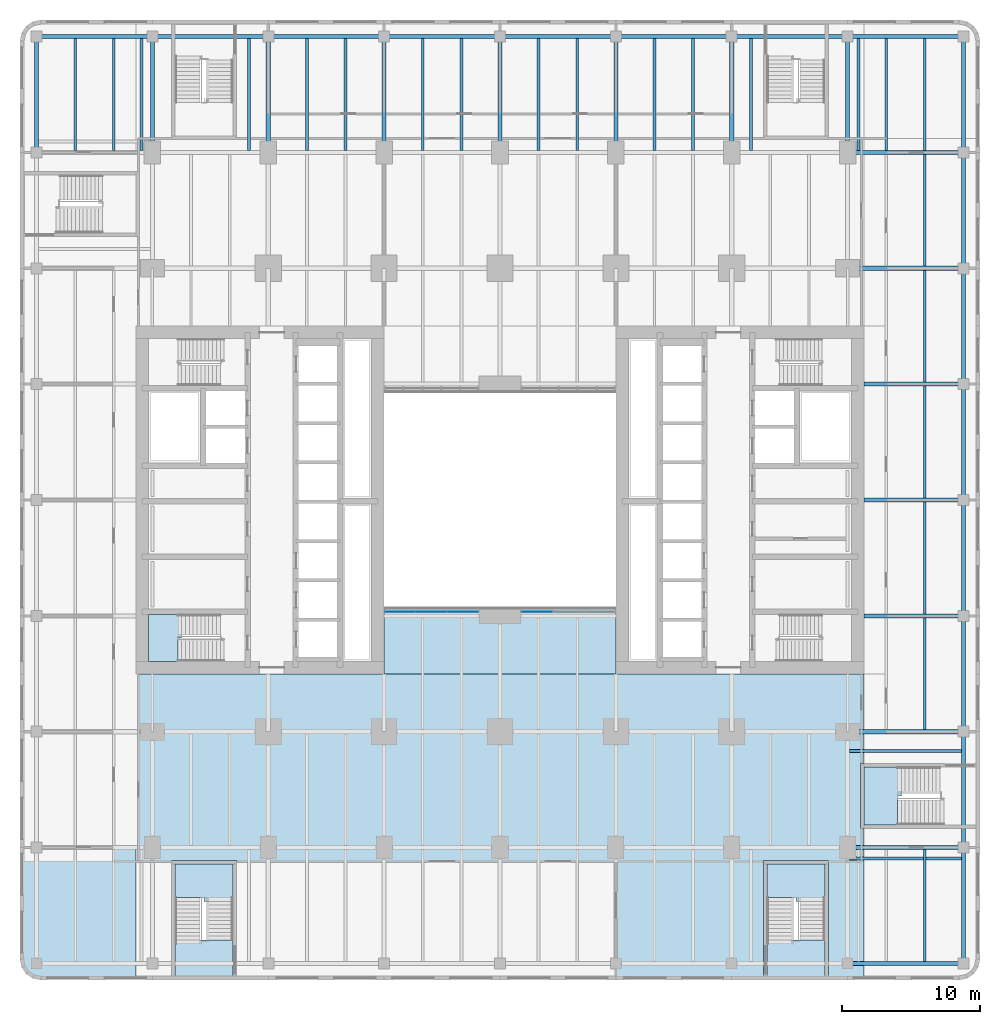
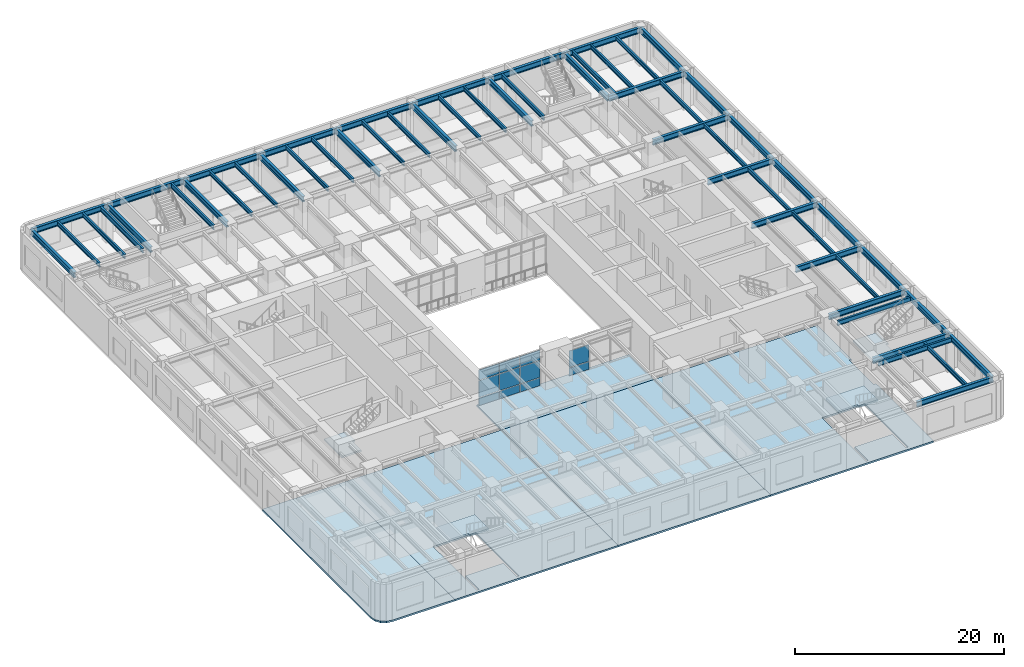
# One storey, part 7 of 26: 56 beams, 11 plates, 9 slabs, 6 elements without a shape of their own.
"""IFC4 building model written with IfcOpenShell, lengths in metres."""

from ifc_helpers import new_model, si_unit, direction, frame, origin, origin_2d, place, context, subcontext, project, spatial, polyline, rectangle, i_section, outline, extrude, material, layer, layer_set, material_profile, profile_set, type_object, element, aggregate, save


model = new_model("IFC4")

# Units and contexts
model_context = context("Model", 3, precision=1e-05, world=origin(), true_north=direction((0.0, 1.0)))
body_context = subcontext(model_context, "Body", "Model", "MODEL_VIEW")
ifc_project = project(units=[si_unit("LENGTHUNIT", "METRE"), si_unit("AREAUNIT", "SQUARE_METRE"), si_unit("VOLUMEUNIT", "CUBIC_METRE"), si_unit("PLANEANGLEUNIT", "RADIAN"), si_unit("MASSUNIT", "GRAM", prefix="KILO")], contexts=[model_context])

# Site, building, storey
site_placement = place(None, origin())
site = spatial("IfcSite", under=ifc_project, at=site_placement, CompositionType="ELEMENT")
building_placement = place(site_placement, origin())
building = spatial("IfcBuilding", under=site, at=building_placement, Name="Claustro Exchange Tower", CompositionType="ELEMENT")
storey_placement = place(building_placement, frame((0.0, 0.0, 9.89990234375)))
storey = spatial("IfcBuildingStorey", under=building, at=storey_placement, Name="L02", CompositionType="ELEMENT", Elevation=9.89990234375)

# Beams
ifc_material_1 = material(Name="Steel S355", Category="steel")
ifc_material_profile_1 = material_profile(ifc_material_1, i_section(OverallWidth=0.300048828125, OverallDepth=0.64990234375, WebThickness=0.01611328125, FlangeThickness=0.031005859375, FilletRadius=0.027099609375, at=origin_2d()), Name="HE 650 B")
ifc_profile_set_1 = profile_set([ifc_material_profile_1], Name="Steel S355")
beam_type_1 = type_object("IfcBeamType", Name="B1A HE 650 B floor girder", PredefinedType="BEAM", material=ifc_profile_set_1)
for number, where, z_axis, x_axis, name in (
    (1, (-8.39990234375, 50.39990234375, 3.97509765625), (0.0, 1.0, 0.0), (-1.0, 0.0, 0.0), "Beam B1A L03"),
    (2, (0.0, 50.39990234375, 3.97509765625), (0.0, 1.0, 0.0), (-1.0, 0.0, 0.0), "Beam B1A L03"),
    (3, (8.39990234375, 50.39990234375, 3.97509765625), (0.0, 1.0, 0.0), (-1.0, 0.0, 0.0), "Beam B1A L03"),
    (4, (16.800048828125, 50.39990234375, 3.97509765625), (0.0, 1.0, 0.0), (-1.0, 0.0, 0.0), "Beam B1A L03"),
    (5, (25.199951171875, 50.39990234375, 3.97509765625), (0.0, 1.0, 0.0), (-1.0, 0.0, 0.0), "Beam B1A L03"),
    (6, (33.60009765625, 50.39990234375, 3.97509765625), (0.0, 1.0, 0.0), (-1.0, 0.0, 0.0), "Beam B1A L03"),
    (7, (42.0, 50.39990234375, 3.97509765625), (0.0, 1.0, 0.0), (-1.0, 0.0, 0.0), "Beam B1A L03"),
    (8, (50.39990234375, 50.39990234375, 3.97509765625), (0.0, 1.0, 0.0), (-1.0, 0.0, 0.0), "Beam B1A L03"),
):
    element("IfcBeam", number, at=place(storey_placement, frame(where, z_axis=z_axis, x_axis=x_axis)), inside=storey, type_object=beam_type_1, Name=name, PredefinedType="BEAM", context=body_context, shape_type="SweptSolid", body=[
        extrude(i_section(OverallWidth=0.300048828125, OverallDepth=0.64990234375, WebThickness=0.01611328125, FlangeThickness=0.031005859375, FilletRadius=0.027099609375, at=origin_2d()), origin(), (0.0, 0.0, 1.0), 8.400146484375),
    ])
for number, where, z_axis, x_axis, name in (
    (9, (58.800048828125, -8.39990234375, 3.97509765625), (0.0, 1.0, 0.0), (-1.0, 0.0, 0.0), "Beam B1A L03"),
    (10, (58.800048828125, 0.0, 3.97509765625), (0.0, 1.0, 0.0), (-1.0, 0.0, 0.0), "Beam B1A L03"),
):
    element("IfcBeam", number, at=place(storey_placement, frame(where, z_axis=z_axis, x_axis=x_axis)), inside=storey, type_object=beam_type_1, Name=name, PredefinedType="BEAM", context=body_context, shape_type="SweptSolid", body=[
        extrude(i_section(OverallWidth=0.300048828125, OverallDepth=0.64990234375, WebThickness=0.01611328125, FlangeThickness=0.031005859375, FilletRadius=0.027099609375, at=origin_2d()), origin(), (0.0, 0.0, 1.0), 8.39990234375),
    ])
beam_1_placement = place(storey_placement, frame((58.800048828125, 8.39990234375, 3.97509765625), z_axis=(0.0, 1.0, 0.0), x_axis=(-1.0, 0.0, 0.0)))
element("IfcBeam", 11, at=beam_1_placement, inside=storey, type_object=beam_type_1, Name="Beam B1A L03", PredefinedType="BEAM", context=body_context, shape_type="SweptSolid", body=[
    extrude(i_section(OverallWidth=0.300048828125, OverallDepth=0.64990234375, WebThickness=0.01611328125, FlangeThickness=0.031005859375, FilletRadius=0.027099609375, at=origin_2d()), origin(), (0.0, 0.0, 1.0), 8.400146484375),
])
beam_2_placement = place(storey_placement, frame((58.800048828125, 16.800048828125, 3.97509765625), z_axis=(0.0, 1.0, 0.0), x_axis=(-1.0, 0.0, 0.0)))
element("IfcBeam", 12, at=beam_2_placement, inside=storey, type_object=beam_type_1, Name="Beam B1A L03", PredefinedType="BEAM", context=body_context, shape_type="SweptSolid", body=[
    extrude(i_section(OverallWidth=0.300048828125, OverallDepth=0.64990234375, WebThickness=0.01611328125, FlangeThickness=0.031005859375, FilletRadius=0.027099609375, at=origin_2d()), origin(), (0.0, 0.0, 1.0), 8.39990234375),
])
beam_3_placement = place(storey_placement, frame((58.800048828125, 25.199951171875, 3.97509765625), z_axis=(0.0, 1.0, 0.0), x_axis=(-1.0, 0.0, 0.0)))
element("IfcBeam", 13, at=beam_3_placement, inside=storey, type_object=beam_type_1, Name="Beam B1A L03", PredefinedType="BEAM", context=body_context, shape_type="SweptSolid", body=[
    extrude(i_section(OverallWidth=0.300048828125, OverallDepth=0.64990234375, WebThickness=0.01611328125, FlangeThickness=0.031005859375, FilletRadius=0.027099609375, at=origin_2d()), origin(), (0.0, 0.0, 1.0), 8.400146484375),
])
for number, where, z_axis, x_axis, name in (
    (14, (58.800048828125, 33.60009765625, 3.97509765625), (0.0, 1.0, 0.0), (-1.0, 0.0, 0.0), "Beam B1A L03"),
    (15, (58.800048828125, 42.0, 3.97509765625), (0.0, 1.0, 0.0), (-1.0, 0.0, 0.0), "Beam B1A L03"),
):
    element("IfcBeam", number, at=place(storey_placement, frame(where, z_axis=z_axis, x_axis=x_axis)), inside=storey, type_object=beam_type_1, Name=name, PredefinedType="BEAM", context=body_context, shape_type="SweptSolid", body=[
        extrude(i_section(OverallWidth=0.300048828125, OverallDepth=0.64990234375, WebThickness=0.01611328125, FlangeThickness=0.031005859375, FilletRadius=0.027099609375, at=origin_2d()), origin(), (0.0, 0.0, 1.0), 8.39990234375),
    ])
for number, where, z_axis, x_axis, name in (
    (16, (58.800048828125, 50.39990234375, 3.97509765625), (0.0, 1.0, 0.0), (-1.0, 0.0, 0.0), "Beam B1A L03"),
    (17, (50.39990234375, -8.39990234375, 3.97509765625), (1.0, 0.0, 0.0), (0.0, 1.0, 0.0), "Beam B1A L03"),
    (18, (50.39990234375, 0.0, 3.97509765625), (1.0, 0.0, 0.0), (0.0, 1.0, 0.0), "Beam B1A L03"),
    (19, (50.39990234375, 8.39990234375, 3.97509765625), (1.0, 0.0, 0.0), (0.0, 1.0, 0.0), "Beam B1A L03"),
):
    element("IfcBeam", number, at=place(storey_placement, frame(where, z_axis=z_axis, x_axis=x_axis)), inside=storey, type_object=beam_type_1, Name=name, PredefinedType="BEAM", context=body_context, shape_type="SweptSolid", body=[
        extrude(i_section(OverallWidth=0.300048828125, OverallDepth=0.64990234375, WebThickness=0.01611328125, FlangeThickness=0.031005859375, FilletRadius=0.027099609375, at=origin_2d()), origin(), (0.0, 0.0, 1.0), 8.400146484375),
    ])
for number, where, z_axis, x_axis, name in (
    (20, (51.60009765625, 16.800048828125, 3.97509765625), (1.0, 0.0, 0.0), (0.0, 1.0, 0.0), "Beam B1A L03"),
    (21, (51.60009765625, 25.199951171875, 3.97509765625), (1.0, 0.0, 0.0), (0.0, 1.0, 0.0), "Beam B1A L03"),
    (22, (51.60009765625, 33.60009765625, 3.97509765625), (1.0, 0.0, 0.0), (0.0, 1.0, 0.0), "Beam B1A L03"),
):
    element("IfcBeam", number, at=place(storey_placement, frame(where, z_axis=z_axis, x_axis=x_axis)), inside=storey, type_object=beam_type_1, Name=name, PredefinedType="BEAM", context=body_context, shape_type="SweptSolid", body=[
        extrude(i_section(OverallWidth=0.300048828125, OverallDepth=0.64990234375, WebThickness=0.01611328125, FlangeThickness=0.031005859375, FilletRadius=0.027099609375, at=origin_2d()), origin(), (0.0, 0.0, 1.0), 7.199951171875),
    ])
for number, where, z_axis, x_axis, name in (
    (23, (50.39990234375, 42.0, 3.97509765625), (1.0, 0.0, 0.0), (0.0, 1.0, 0.0), "Beam B1A L03"),
    (24, (50.39990234375, 50.39990234375, 3.97509765625), (1.0, 0.0, 0.0), (0.0, 1.0, 0.0), "Beam B1A L03"),
):
    element("IfcBeam", number, at=place(storey_placement, frame(where, z_axis=z_axis, x_axis=x_axis)), inside=storey, type_object=beam_type_1, Name=name, PredefinedType="BEAM", context=body_context, shape_type="SweptSolid", body=[
        extrude(i_section(OverallWidth=0.300048828125, OverallDepth=0.64990234375, WebThickness=0.01611328125, FlangeThickness=0.031005859375, FilletRadius=0.027099609375, at=origin_2d()), origin(), (0.0, 0.0, 1.0), 8.400146484375),
    ])
for number, where, z_axis, x_axis, name in (
    (25, (-8.39990234375, 58.800048828125, 3.97509765625), (1.0, 0.0, 0.0), (0.0, 1.0, 0.0), "Beam B1A L03"),
    (26, (0.0, 58.800048828125, 3.97509765625), (1.0, 0.0, 0.0), (0.0, 1.0, 0.0), "Beam B1A L03"),
):
    element("IfcBeam", number, at=place(storey_placement, frame(where, z_axis=z_axis, x_axis=x_axis)), inside=storey, type_object=beam_type_1, Name=name, PredefinedType="BEAM", context=body_context, shape_type="SweptSolid", body=[
        extrude(i_section(OverallWidth=0.300048828125, OverallDepth=0.64990234375, WebThickness=0.01611328125, FlangeThickness=0.031005859375, FilletRadius=0.027099609375, at=origin_2d()), origin(), (0.0, 0.0, 1.0), 8.39990234375),
    ])
beam_4_placement = place(storey_placement, frame((8.39990234375, 58.800048828125, 3.97509765625), z_axis=(1.0, 0.0, 0.0), x_axis=(0.0, 1.0, 0.0)))
element("IfcBeam", 27, at=beam_4_placement, inside=storey, type_object=beam_type_1, Name="Beam B1A L03", PredefinedType="BEAM", context=body_context, shape_type="SweptSolid", body=[
    extrude(i_section(OverallWidth=0.300048828125, OverallDepth=0.64990234375, WebThickness=0.01611328125, FlangeThickness=0.031005859375, FilletRadius=0.027099609375, at=origin_2d()), origin(), (0.0, 0.0, 1.0), 8.400146484375),
])
beam_5_placement = place(storey_placement, frame((16.800048828125, 58.800048828125, 3.97509765625), z_axis=(1.0, 0.0, 0.0), x_axis=(0.0, 1.0, 0.0)))
element("IfcBeam", 28, at=beam_5_placement, inside=storey, type_object=beam_type_1, Name="Beam B1A L03", PredefinedType="BEAM", context=body_context, shape_type="SweptSolid", body=[
    extrude(i_section(OverallWidth=0.300048828125, OverallDepth=0.64990234375, WebThickness=0.01611328125, FlangeThickness=0.031005859375, FilletRadius=0.027099609375, at=origin_2d()), origin(), (0.0, 0.0, 1.0), 8.39990234375),
])
beam_6_placement = place(storey_placement, frame((25.199951171875, 58.800048828125, 3.97509765625), z_axis=(1.0, 0.0, 0.0), x_axis=(0.0, 1.0, 0.0)))
element("IfcBeam", 29, at=beam_6_placement, inside=storey, type_object=beam_type_1, Name="Beam B1A L03", PredefinedType="BEAM", context=body_context, shape_type="SweptSolid", body=[
    extrude(i_section(OverallWidth=0.300048828125, OverallDepth=0.64990234375, WebThickness=0.01611328125, FlangeThickness=0.031005859375, FilletRadius=0.027099609375, at=origin_2d()), origin(), (0.0, 0.0, 1.0), 8.400146484375),
])
for number, where, z_axis, x_axis, name in (
    (30, (33.60009765625, 58.800048828125, 3.97509765625), (1.0, 0.0, 0.0), (0.0, 1.0, 0.0), "Beam B1A L03"),
    (31, (42.0, 58.800048828125, 3.97509765625), (1.0, 0.0, 0.0), (0.0, 1.0, 0.0), "Beam B1A L03"),
):
    element("IfcBeam", number, at=place(storey_placement, frame(where, z_axis=z_axis, x_axis=x_axis)), inside=storey, type_object=beam_type_1, Name=name, PredefinedType="BEAM", context=body_context, shape_type="SweptSolid", body=[
        extrude(i_section(OverallWidth=0.300048828125, OverallDepth=0.64990234375, WebThickness=0.01611328125, FlangeThickness=0.031005859375, FilletRadius=0.027099609375, at=origin_2d()), origin(), (0.0, 0.0, 1.0), 8.39990234375),
    ])
beam_7_placement = place(storey_placement, frame((50.39990234375, 58.800048828125, 3.97509765625), z_axis=(1.0, 0.0, 0.0), x_axis=(0.0, 1.0, 0.0)))
element("IfcBeam", 32, at=beam_7_placement, inside=storey, type_object=beam_type_1, Name="Beam B1A L03", PredefinedType="BEAM", context=body_context, shape_type="SweptSolid", body=[
    extrude(i_section(OverallWidth=0.300048828125, OverallDepth=0.64990234375, WebThickness=0.01611328125, FlangeThickness=0.031005859375, FilletRadius=0.027099609375, at=origin_2d()), origin(), (0.0, 0.0, 1.0), 8.400146484375),
])
ifc_material_2 = material(Name="Steel S355", Category="steel")
ifc_material_profile_2 = material_profile(ifc_material_2, i_section(OverallWidth=0.199951171875, OverallDepth=0.5, WebThickness=0.01025390625, FlangeThickness=0.01611328125, FilletRadius=0.02099609375, at=origin_2d()), Name="IPE 500")
ifc_profile_set_2 = profile_set([ifc_material_profile_2], Name="Steel S355")
beam_type_2 = type_object("IfcBeamType", Name="B2 IPE 500 secondary beam", PredefinedType="BEAM", material=ifc_profile_set_2)
for number, where, z_axis, x_axis, name in (
    (33, (-5.60009765625, 50.550048828125, 4.050048828125), (0.0, 1.0, 0.0), (-1.0, 0.0, 0.0), "Beam B2 L03"),
    (34, (-2.800048828125, 50.550048828125, 4.050048828125), (0.0, 1.0, 0.0), (-1.0, 0.0, 0.0), "Beam B2 L03"),
    (35, (11.199951171875, 50.550048828125, 4.050048828125), (0.0, 1.0, 0.0), (-1.0, 0.0, 0.0), "Beam B2 L03"),
    (36, (14.0, 50.550048828125, 4.050048828125), (0.0, 1.0, 0.0), (-1.0, 0.0, 0.0), "Beam B2 L03"),
    (37, (19.60009765625, 50.550048828125, 4.050048828125), (0.0, 1.0, 0.0), (-1.0, 0.0, 0.0), "Beam B2 L03"),
    (38, (22.39990234375, 50.550048828125, 4.050048828125), (0.0, 1.0, 0.0), (-1.0, 0.0, 0.0), "Beam B2 L03"),
    (39, (28.0, 50.550048828125, 4.050048828125), (0.0, 1.0, 0.0), (-1.0, 0.0, 0.0), "Beam B2 L03"),
    (40, (30.800048828125, 50.550048828125, 4.050048828125), (0.0, 1.0, 0.0), (-1.0, 0.0, 0.0), "Beam B2 L03"),
    (41, (36.39990234375, 50.550048828125, 4.050048828125), (0.0, 1.0, 0.0), (-1.0, 0.0, 0.0), "Beam B2 L03"),
    (42, (39.199951171875, 50.550048828125, 4.050048828125), (0.0, 1.0, 0.0), (-1.0, 0.0, 0.0), "Beam B2 L03"),
):
    element("IfcBeam", number, at=place(storey_placement, frame(where, z_axis=z_axis, x_axis=x_axis)), inside=storey, type_object=beam_type_2, Name=name, PredefinedType="BEAM", context=body_context, shape_type="SweptSolid", body=[
        extrude(i_section(OverallWidth=0.199951171875, OverallDepth=0.5, WebThickness=0.01025390625, FlangeThickness=0.01611328125, FilletRadius=0.02099609375, at=origin_2d()), origin(), (0.0, 0.0, 1.0), 8.099853515625),
    ])
beam_8_placement = place(storey_placement, frame((56.0, -8.25, 4.050048828125), z_axis=(0.0, 1.0, 0.0), x_axis=(-1.0, 0.0, 0.0)))
element("IfcBeam", 43, at=beam_8_placement, inside=storey, type_object=beam_type_2, Name="Beam B2 L03", PredefinedType="BEAM", context=body_context, shape_type="SweptSolid", body=[
    extrude(i_section(OverallWidth=0.199951171875, OverallDepth=0.5, WebThickness=0.01025390625, FlangeThickness=0.01611328125, FilletRadius=0.02099609375, at=origin_2d()), origin(), (0.0, 0.0, 1.0), 8.10009765625),
])
beam_9_placement = place(storey_placement, frame((56.0, 8.550048828125, 4.050048828125), z_axis=(0.0, 1.0, 0.0), x_axis=(-1.0, 0.0, 0.0)))
element("IfcBeam", 44, at=beam_9_placement, inside=storey, type_object=beam_type_2, Name="Beam B2 L03", PredefinedType="BEAM", context=body_context, shape_type="SweptSolid", body=[
    extrude(i_section(OverallWidth=0.199951171875, OverallDepth=0.5, WebThickness=0.01025390625, FlangeThickness=0.01611328125, FilletRadius=0.02099609375, at=origin_2d()), origin(), (0.0, 0.0, 1.0), 8.099853515625),
])
beam_10_placement = place(storey_placement, frame((56.0, 16.949951171875, 4.050048828125), z_axis=(0.0, 1.0, 0.0), x_axis=(-1.0, 0.0, 0.0)))
element("IfcBeam", 45, at=beam_10_placement, inside=storey, type_object=beam_type_2, Name="Beam B2 L03", PredefinedType="BEAM", context=body_context, shape_type="SweptSolid", body=[
    extrude(i_section(OverallWidth=0.199951171875, OverallDepth=0.5, WebThickness=0.01025390625, FlangeThickness=0.01611328125, FilletRadius=0.02099609375, at=origin_2d()), origin(), (0.0, 0.0, 1.0), 8.10009765625),
])
beam_11_placement = place(storey_placement, frame((56.0, 25.35009765625, 4.050048828125), z_axis=(0.0, 1.0, 0.0), x_axis=(-1.0, 0.0, 0.0)))
element("IfcBeam", 46, at=beam_11_placement, inside=storey, type_object=beam_type_2, Name="Beam B2 L03", PredefinedType="BEAM", context=body_context, shape_type="SweptSolid", body=[
    extrude(i_section(OverallWidth=0.199951171875, OverallDepth=0.5, WebThickness=0.01025390625, FlangeThickness=0.01611328125, FilletRadius=0.02099609375, at=origin_2d()), origin(), (0.0, 0.0, 1.0), 8.099853515625),
])
for number, where, z_axis, x_axis, name in (
    (47, (56.0, 33.75, 4.050048828125), (0.0, 1.0, 0.0), (-1.0, 0.0, 0.0), "Beam B2 L03"),
    (48, (56.0, 42.14990234375, 4.050048828125), (0.0, 1.0, 0.0), (-1.0, 0.0, 0.0), "Beam B2 L03"),
):
    element("IfcBeam", number, at=place(storey_placement, frame(where, z_axis=z_axis, x_axis=x_axis)), inside=storey, type_object=beam_type_2, Name=name, PredefinedType="BEAM", context=body_context, shape_type="SweptSolid", body=[
        extrude(i_section(OverallWidth=0.199951171875, OverallDepth=0.5, WebThickness=0.01025390625, FlangeThickness=0.01611328125, FilletRadius=0.02099609375, at=origin_2d()), origin(), (0.0, 0.0, 1.0), 8.10009765625),
    ])
for number, where, z_axis, x_axis, name in (
    (49, (53.199951171875, 50.550048828125, 4.050048828125), (0.0, 1.0, 0.0), (-1.0, 0.0, 0.0), "Beam B2 L03"),
    (50, (56.0, 50.550048828125, 4.050048828125), (0.0, 1.0, 0.0), (-1.0, 0.0, 0.0), "Beam B2 L03"),
):
    element("IfcBeam", number, at=place(storey_placement, frame(where, z_axis=z_axis, x_axis=x_axis)), inside=storey, type_object=beam_type_2, Name=name, PredefinedType="BEAM", context=body_context, shape_type="SweptSolid", body=[
        extrude(i_section(OverallWidth=0.199951171875, OverallDepth=0.5, WebThickness=0.01025390625, FlangeThickness=0.01611328125, FilletRadius=0.02099609375, at=origin_2d()), origin(), (0.0, 0.0, 1.0), 8.099853515625),
    ])
ifc_material_3 = material(Name="Steel S355", Category="steel")
ifc_material_profile_3 = material_profile(ifc_material_3, i_section(OverallWidth=0.2099609375, OverallDepth=0.550048828125, WebThickness=0.010986328125, FlangeThickness=0.01708984375, FilletRadius=0.02392578125, at=origin_2d()), Name="IPE 550")
ifc_profile_set_3 = profile_set([ifc_material_profile_3], Name="Steel S355")
beam_type_3 = type_object("IfcBeamType", Name="B28 IPE 550 podium stair trimmer", PredefinedType="BEAM", material=ifc_profile_set_3)
for number, where, z_axis, x_axis, name in (
    (51, (7.0, 50.550048828125, 4.025146484375), (0.0, 1.0, 0.0), (-1.0, 0.0, 0.0), "Beam B28 trimmer STP3 L03"),
    (52, (-0.800048828125, 50.550048828125, 4.025146484375), (0.0, 1.0, 0.0), (-1.0, 0.0, 0.0), "Beam B28 trimmer STP3 L03"),
    (53, (43.39990234375, 50.550048828125, 4.025146484375), (0.0, 1.0, 0.0), (-1.0, 0.0, 0.0), "Beam B28 trimmer STP4 L03"),
    (54, (51.199951171875, 50.550048828125, 4.025146484375), (0.0, 1.0, 0.0), (-1.0, 0.0, 0.0), "Beam B28 trimmer STP4 L03"),
    (55, (50.550048828125, 7.0, 4.025146484375), (1.0, 0.0, 0.0), (0.0, 1.0, 0.0), "Beam B28 trimmer STP6 L03"),
    (56, (50.550048828125, -0.800048828125, 4.025146484375), (1.0, 0.0, 0.0), (0.0, 1.0, 0.0), "Beam B28 trimmer STP6 L03"),
):
    element("IfcBeam", number, at=place(storey_placement, frame(where, z_axis=z_axis, x_axis=x_axis)), inside=storey, type_object=beam_type_3, Name=name, PredefinedType="BEAM", context=body_context, shape_type="SweptSolid", body=[
        extrude(i_section(OverallWidth=0.2099609375, OverallDepth=0.550048828125, WebThickness=0.010986328125, FlangeThickness=0.01708984375, FilletRadius=0.02392578125, at=origin_2d()), origin(), (0.0, 0.0, 1.0), 8.099853515625),
    ])

# Curtain wall, plates
ifc_material_4 = material(Name="Aluminium frame, clear double glazing", Category="aluminium")
curtain_wall_type = type_object("IfcCurtainWallType", Name="CW3 light well curtain wall", PredefinedType="USERDEFINED", material=ifc_material_4)
curtain_wall_1_placement = place(storey_placement, origin())
curtain_wall_1 = element("IfcCurtainWall", 57, at=curtain_wall_1_placement, inside=storey, type_object=curtain_wall_type, Name="Curtain wall CW3 L02", ObjectType="STICK CURTAIN WALL", PredefinedType="USERDEFINED")
ifc_material_5 = material(Name="Clear double glazing", Category="glass")
ifc_layer_1 = layer(ifc_material_5, 0.030029296875)
ifc_layer_set_1 = layer_set([ifc_layer_1], Name="Clear double glazing")
plate_type = type_object("IfcPlateType", Name="CW3-P 30 glazed panel", PredefinedType="CURTAIN_PANEL", material=ifc_layer_set_1)
plate_1_placement = place(storey_placement, frame((17.962158203125, 17.10009765625, 0.06494140625), z_axis=(0.0, 0.0, 1.0), x_axis=(1.0, 0.0, 0.0)))
plate_1 = element("IfcPlate", 58, at=plate_1_placement, type_object=plate_type, Name="CW3 panel 1.1", PredefinedType="CURTAIN_PANEL", context=body_context, shape_type="SweptSolid", body=[
    extrude(rectangle(XDim=2.194091796875, YDim=0.030029296875, at=origin_2d()), origin(), (0.0, 0.0, 1.0), 0.902587890625),
])
plate_2_placement = place(storey_placement, frame((17.962158203125, 17.10009765625, 1.032470703125), z_axis=(0.0, 0.0, 1.0), x_axis=(1.0, 0.0, 0.0)))
plate_2 = element("IfcPlate", 59, at=plate_2_placement, type_object=plate_type, Name="CW3 panel 1.2", PredefinedType="CURTAIN_PANEL", context=body_context, shape_type="SweptSolid", body=[
    extrude(rectangle(XDim=2.194091796875, YDim=0.030029296875, at=origin_2d()), origin(), (0.0, 0.0, 1.0), 1.93505859375),
])
plate_3_placement = place(storey_placement, frame((17.962158203125, 17.10009765625, 3.03271484375), z_axis=(0.0, 0.0, 1.0), x_axis=(1.0, 0.0, 0.0)))
plate_3 = element("IfcPlate", 60, at=plate_3_placement, type_object=plate_type, Name="CW3 panel 1.3", PredefinedType="CURTAIN_PANEL", context=body_context, shape_type="SweptSolid", body=[
    extrude(rectangle(XDim=2.194091796875, YDim=0.030029296875, at=origin_2d()), origin(), (0.0, 0.0, 1.0), 1.202392578125),
])
plate_4_placement = place(storey_placement, frame((20.237548828125, 17.10009765625, 0.06494140625), z_axis=(0.0, 0.0, 1.0), x_axis=(1.0, 0.0, 0.0)))
plate_4 = element("IfcPlate", 61, at=plate_4_placement, type_object=plate_type, Name="CW3 panel 2.1", PredefinedType="CURTAIN_PANEL", context=body_context, shape_type="SweptSolid", body=[
    extrude(rectangle(XDim=2.2265625, YDim=0.030029296875, at=origin_2d()), origin(), (0.0, 0.0, 1.0), 0.902587890625),
])
plate_5_placement = place(storey_placement, frame((20.237548828125, 17.10009765625, 1.032470703125), z_axis=(0.0, 0.0, 1.0), x_axis=(1.0, 0.0, 0.0)))
plate_5 = element("IfcPlate", 62, at=plate_5_placement, type_object=plate_type, Name="CW3 panel 2.2", PredefinedType="CURTAIN_PANEL", context=body_context, shape_type="SweptSolid", body=[
    extrude(rectangle(XDim=2.2265625, YDim=0.030029296875, at=origin_2d()), origin(), (0.0, 0.0, 1.0), 1.93505859375),
])
plate_6_placement = place(storey_placement, frame((20.237548828125, 17.10009765625, 3.03271484375), z_axis=(0.0, 0.0, 1.0), x_axis=(1.0, 0.0, 0.0)))
plate_6 = element("IfcPlate", 63, at=plate_6_placement, type_object=plate_type, Name="CW3 panel 2.3", PredefinedType="CURTAIN_PANEL", context=body_context, shape_type="SweptSolid", body=[
    extrude(rectangle(XDim=2.2265625, YDim=0.030029296875, at=origin_2d()), origin(), (0.0, 0.0, 1.0), 1.202392578125),
])
plate_7_placement = place(storey_placement, frame((22.512939453125, 17.10009765625, 0.06494140625), z_axis=(0.0, 0.0, 1.0), x_axis=(1.0, 0.0, 0.0)))
plate_7 = element("IfcPlate", 64, at=plate_7_placement, type_object=plate_type, Name="CW3 panel 3.1", PredefinedType="CURTAIN_PANEL", context=body_context, shape_type="SweptSolid", body=[
    extrude(rectangle(XDim=2.194091796875, YDim=0.030029296875, at=origin_2d()), origin(), (0.0, 0.0, 1.0), 0.902587890625),
])
plate_8_placement = place(storey_placement, frame((22.512939453125, 17.10009765625, 1.032470703125), z_axis=(0.0, 0.0, 1.0), x_axis=(1.0, 0.0, 0.0)))
plate_8 = element("IfcPlate", 65, at=plate_8_placement, type_object=plate_type, Name="CW3 panel 3.2", PredefinedType="CURTAIN_PANEL", context=body_context, shape_type="SweptSolid", body=[
    extrude(rectangle(XDim=2.194091796875, YDim=0.030029296875, at=origin_2d()), origin(), (0.0, 0.0, 1.0), 1.93505859375),
])
plate_9_placement = place(storey_placement, frame((22.512939453125, 17.10009765625, 3.03271484375), z_axis=(0.0, 0.0, 1.0), x_axis=(1.0, 0.0, 0.0)))
plate_9 = element("IfcPlate", 66, at=plate_9_placement, type_object=plate_type, Name="CW3 panel 3.3", PredefinedType="CURTAIN_PANEL", context=body_context, shape_type="SweptSolid", body=[
    extrude(rectangle(XDim=2.194091796875, YDim=0.030029296875, at=origin_2d()), origin(), (0.0, 0.0, 1.0), 1.202392578125),
])
aggregate(curtain_wall_1, [plate_1, plate_2, plate_3, plate_4, plate_5, plate_6, plate_7, plate_8, plate_9])

curtain_wall_2_placement = place(storey_placement, origin())
curtain_wall_2 = element("IfcCurtainWall", 67, at=curtain_wall_2_placement, inside=storey, type_object=curtain_wall_type, Name="Curtain wall CW3 L02", ObjectType="STICK CURTAIN WALL", PredefinedType="USERDEFINED")
plate_10_placement = place(storey_placement, frame((27.886962890625, 17.10009765625, 0.06494140625), z_axis=(0.0, 0.0, 1.0), x_axis=(1.0, 0.0, 0.0)))
plate_10 = element("IfcPlate", 68, at=plate_10_placement, type_object=plate_type, Name="CW3 panel 1.1", PredefinedType="CURTAIN_PANEL", context=body_context, shape_type="SweptSolid", body=[
    extrude(rectangle(XDim=2.194091796875, YDim=0.030029296875, at=origin_2d()), origin(), (0.0, 0.0, 1.0), 0.902587890625),
])
plate_11_placement = place(storey_placement, frame((27.886962890625, 17.10009765625, 1.032470703125), z_axis=(0.0, 0.0, 1.0), x_axis=(1.0, 0.0, 0.0)))
plate_11 = element("IfcPlate", 69, at=plate_11_placement, type_object=plate_type, Name="CW3 panel 1.2", PredefinedType="CURTAIN_PANEL", context=body_context, shape_type="SweptSolid", body=[
    extrude(rectangle(XDim=2.194091796875, YDim=0.030029296875, at=origin_2d()), origin(), (0.0, 0.0, 1.0), 1.93505859375),
])
aggregate(curtain_wall_2, [plate_10, plate_11])

# Slabs
ifc_material_6 = material(Name="Concrete HA-50 (C50/60)", Category="concrete")
ifc_layer_2 = layer(ifc_material_6, 0.199951171875)
ifc_layer_set_2 = layer_set([ifc_layer_2], Name="Concrete HA-50 (C50/60)")
slab_type_1 = type_object("IfcSlabType", Name="S3 200 plant floor slab", PredefinedType="FLOOR", material=ifc_layer_set_2)
slab_1_placement = place(storey_placement, frame((0.0, 0.0, -0.199951171875)))
element("IfcSlab", 70, at=slab_1_placement, inside=storey, type_object=slab_type_1, Name="Floor slab S3 S L02", PredefinedType="FLOOR", context=body_context, shape_type="SweptSolid", body=[
    extrude(outline(polyline([(16.800048828125, -9.60009765625), (33.60009765625, -9.60009765625), (33.60009765625, 12.60009765625), (16.800048828125, 12.60009765625), (16.800048828125, -9.60009765625)])), origin(), (0.0, 0.0, 1.0), 0.199951171875),
])
slab_2_placement = place(storey_placement, frame((0.0, 0.0, -0.199951171875)))
element("IfcSlab", 71, at=slab_2_placement, inside=storey, type_object=slab_type_1, Name="Floor slab S3 S L02", PredefinedType="FLOOR", context=body_context, shape_type="SweptSolid", body=[
    extrude(outline(polyline([(-8.10009765625, -9.60009765625), (-1.199951171875, -9.60009765625), (-1.199951171875, 12.60009765625), (-9.60009765625, 12.60009765625), (-9.60009765625, -8.10009765625), (-9.48583984375, -8.674072265625), (-9.16064453125, -9.16064453125), (-8.674072265625, -9.48583984375), (-8.10009765625, -9.60009765625)])), origin(), (0.0, 0.0, 1.0), 0.199951171875),
])
slab_3_placement = place(storey_placement, frame((0.0, 0.0, -0.199951171875)))
element("IfcSlab", 72, at=slab_3_placement, inside=storey, type_object=slab_type_1, Name="Floor slab S3 S L02", PredefinedType="FLOOR", context=body_context, shape_type="SweptSolid", body=[
    extrude(outline(polyline([(33.60009765625, -9.60009765625), (51.60009765625, -9.60009765625), (51.60009765625, 1.39990234375), (51.35009765625, 1.39990234375), (51.35009765625, 6.10009765625), (51.60009765625, 6.10009765625), (51.60009765625, 12.60009765625), (33.60009765625, 12.60009765625), (33.60009765625, -9.60009765625)]), holes=[polyline([(46.64990234375, -6.699951171875), (44.550048828125, -6.699951171875), (44.550048828125, -9.280029296875), (44.300048828125, -9.280029296875), (44.300048828125, -1.199951171875), (44.300048828125, -0.949951171875), (49.0, -0.949951171875), (49.0, -1.199951171875), (49.0, -9.280029296875), (48.75, -9.280029296875), (48.75, -6.695068359375), (46.64990234375, -6.695068359375), (46.64990234375, -6.699951171875)])]), origin(), (0.0, 0.0, 1.0), 0.199951171875),
])
slab_4_placement = place(storey_placement, frame((0.0, 0.0, -0.199951171875)))
element("IfcSlab", 73, at=slab_4_placement, inside=storey, type_object=slab_type_1, Name="Floor slab S3 S L02", PredefinedType="FLOOR", context=body_context, shape_type="SweptSolid", body=[
    extrude(outline(polyline([(-1.199951171875, -9.60009765625), (16.800048828125, -9.60009765625), (16.800048828125, 12.60009765625), (-1.199951171875, 12.60009765625), (-1.199951171875, -9.60009765625)]), holes=[polyline([(3.75, -6.699951171875), (1.64990234375, -6.699951171875), (1.64990234375, -9.280029296875), (1.39990234375, -9.280029296875), (1.39990234375, -1.199951171875), (1.39990234375, -0.949951171875), (6.10009765625, -0.949951171875), (6.10009765625, -1.199951171875), (6.10009765625, -9.280029296875), (5.85009765625, -9.280029296875), (5.85009765625, -6.695068359375), (3.75, -6.695068359375), (3.75, -6.699951171875)])]), origin(), (0.0, 0.0, 1.0), 0.199951171875),
])
slab_5_placement = place(storey_placement, frame((0.0, 0.0, -0.199951171875)))
element("IfcSlab", 74, at=slab_5_placement, inside=storey, type_object=slab_type_1, Name="Floor slab S3 E L02", PredefinedType="FLOOR", context=body_context, shape_type="SweptSolid", body=[
    extrude(outline(polyline([(16.800048828125, 17.39990234375), (16.800048828125, 12.60009765625), (33.60009765625, 12.60009765625), (33.60009765625, 17.39990234375), (16.800048828125, 17.39990234375)])), origin(), (0.0, 0.0, 1.0), 0.199951171875),
])

# Stair, slab
ifc_material_7 = material(Name="Concrete HA-30 (C30/37), precast", Category="concrete")
stair_type_1 = type_object("IfcStairType", Name="ST2 half-turn stair, 25 risers of 180", PredefinedType="HALF_TURN_STAIR", material=ifc_material_7)
stair_1_placement = place(storey_placement, origin())
stair_1 = element("IfcStair", 75, at=stair_1_placement, inside=storey, type_object=stair_type_1, Name="Stair STWA L02", PredefinedType="HALF_TURN_STAIR")
ifc_material_8 = material(Name="Concrete HA-30 (C30/37), precast", Category="concrete")
ifc_layer_3 = layer(ifc_material_8, 0.199951171875)
ifc_layer_set_3 = layer_set([ifc_layer_3], Name="Concrete HA-30 (C30/37), precast")
slab_type_2 = type_object("IfcSlabType", Name="S9 200 stair landing", PredefinedType="LANDING", material=ifc_layer_set_3)
slab_6_placement = place(storey_placement, frame((0.0, 0.0, 2.14013671875)))
slab_6 = element("IfcSlab", 76, at=slab_6_placement, type_object=slab_type_2, Name="STWA landing 1", PredefinedType="LANDING", context=body_context, shape_type="SweptSolid", body=[
    extrude(outline(polyline([(1.844970703125, 13.5), (-0.300048828125, 13.5), (-0.300048828125, 16.89990234375), (1.840087890625, 16.89990234375), (1.844970703125, 16.89990234375), (2.1201171875, 16.89990234375), (2.1201171875, 15.199951171875), (1.844970703125, 15.199951171875), (1.844970703125, 13.5)])), origin(), (0.0, 0.0, 1.0), 0.199951171875),
])
aggregate(stair_1, [slab_6])

ifc_material_9 = material(Name="Concrete HA-30 (C30/37), precast", Category="concrete")
stair_type_2 = type_object("IfcStairType", Name="ST5 half-turn podium escape stair, 25 risers of 180, 1800 flights", PredefinedType="HALF_TURN_STAIR", material=ifc_material_9)
stair_2_placement = place(storey_placement, origin())
stair_2 = element("IfcStair", 77, at=stair_2_placement, inside=storey, type_object=stair_type_2, Name="Stair STP1 L02", PredefinedType="HALF_TURN_STAIR")
slab_7_placement = place(storey_placement, frame((0.0, 0.0, 2.14013671875)))
slab_7 = element("IfcSlab", 78, at=slab_7_placement, type_object=slab_type_2, Name="STP1 landing 1", PredefinedType="LANDING", context=body_context, shape_type="SweptSolid", body=[
    extrude(outline(polyline([(5.85009765625, -3.89990234375), (3.75, -3.89990234375), (3.75, -3.625), (1.64990234375, -3.625), (1.64990234375, -1.199951171875), (5.85009765625, -1.199951171875), (5.85009765625, -3.6201171875), (5.85009765625, -3.625), (5.85009765625, -3.89990234375)])), origin(), (0.0, 0.0, 1.0), 0.199951171875),
])
aggregate(stair_2, [slab_7])

stair_3_placement = place(storey_placement, origin())
stair_3 = element("IfcStair", 79, at=stair_3_placement, inside=storey, type_object=stair_type_2, Name="Stair STP2 L02", PredefinedType="HALF_TURN_STAIR")
slab_8_placement = place(storey_placement, frame((0.0, 0.0, 2.14013671875)))
slab_8 = element("IfcSlab", 80, at=slab_8_placement, type_object=slab_type_2, Name="STP2 landing 1", PredefinedType="LANDING", context=body_context, shape_type="SweptSolid", body=[
    extrude(outline(polyline([(48.75, -3.89990234375), (46.64990234375, -3.89990234375), (46.64990234375, -3.625), (44.550048828125, -3.625), (44.550048828125, -1.199951171875), (48.75, -1.199951171875), (48.75, -3.6201171875), (48.75, -3.625), (48.75, -3.89990234375)])), origin(), (0.0, 0.0, 1.0), 0.199951171875),
])
aggregate(stair_3, [slab_8])

stair_4_placement = place(storey_placement, origin())
stair_4 = element("IfcStair", 81, at=stair_4_placement, inside=storey, type_object=stair_type_2, Name="Stair STP6 L02", PredefinedType="HALF_TURN_STAIR")
slab_9_placement = place(storey_placement, frame((0.0, 0.0, 2.14013671875)))
slab_9 = element("IfcSlab", 82, at=slab_9_placement, type_object=slab_type_2, Name="STP6 landing 1", PredefinedType="LANDING", context=body_context, shape_type="SweptSolid", body=[
    extrude(outline(polyline([(54.02490234375, 1.64990234375), (51.60009765625, 1.64990234375), (51.60009765625, 5.85009765625), (54.02001953125, 5.85009765625), (54.02490234375, 5.85009765625), (54.300048828125, 5.85009765625), (54.300048828125, 3.75), (54.02490234375, 3.75), (54.02490234375, 1.64990234375)])), origin(), (0.0, 0.0, 1.0), 0.199951171875),
])
aggregate(stair_4, [slab_9])

save(model, "model.ifc")
